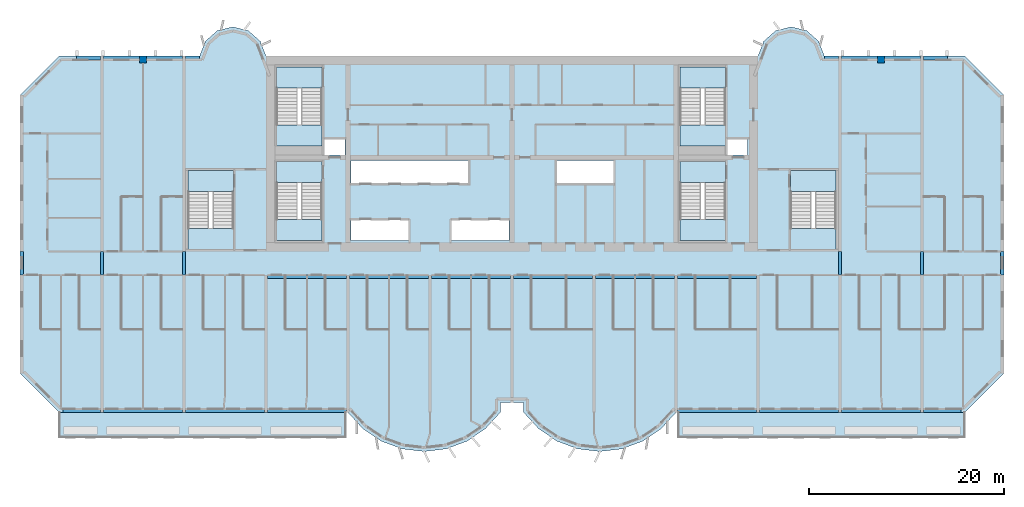
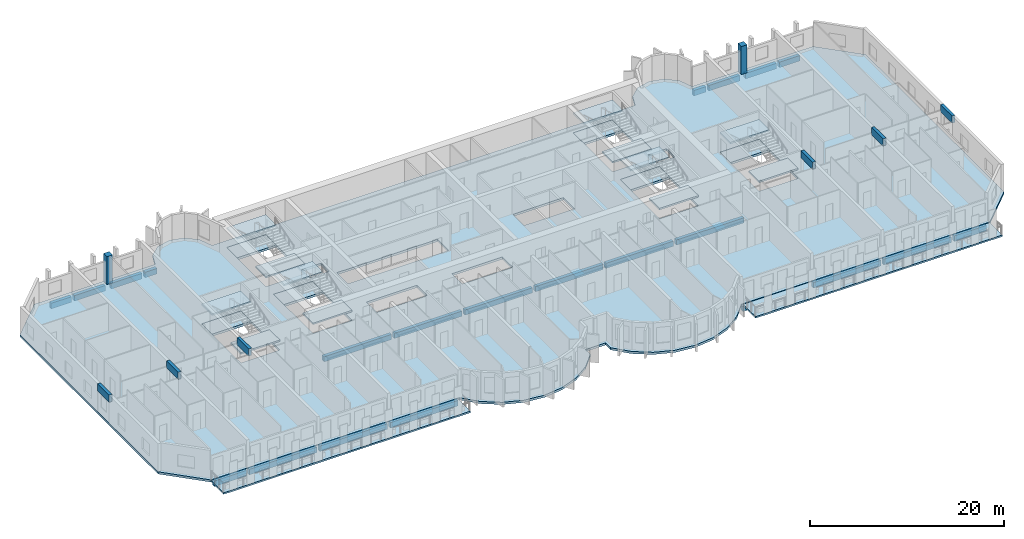
# One storey, part 1 of 15: 28 beams, 21 slabs, 2 columns, 6 elements without a shape of their own.
"""IFC4 building model written with IfcOpenShell, lengths in metres."""

from ifc_helpers import new_model, si_unit, direction, frame, origin, origin_2d, place, context, subcontext, project, spatial, polyline, rectangle, outline, extrude, source, transform, mapped, material, layer, layer_set, material_profile, profile_set, type_object, element, aggregate, save


model = new_model("IFC4")

# Units and contexts
model_context = context("Model", 3, precision=1e-05, world=origin(), true_north=direction((0.0, 1.0)))
body_context = subcontext(model_context, "Body", "Model", "MODEL_VIEW")
ifc_project = project(units=[si_unit("LENGTHUNIT", "METRE"), si_unit("AREAUNIT", "SQUARE_METRE"), si_unit("VOLUMEUNIT", "CUBIC_METRE"), si_unit("PLANEANGLEUNIT", "RADIAN"), si_unit("MASSUNIT", "GRAM", prefix="KILO")], contexts=[model_context])

# Site, building, storey
site_placement = place(None, origin())
site = spatial("IfcSite", under=ifc_project, at=site_placement, CompositionType="ELEMENT")
building_placement = place(site_placement, origin())
building = spatial("IfcBuilding", under=site, at=building_placement, Name="Vanashikhar Sky Hotel", CompositionType="ELEMENT")
storey_placement = place(building_placement, frame((0.0, 0.0, 110.39990234375)))
storey = spatial("IfcBuildingStorey", under=building, at=storey_placement, Name="L26", CompositionType="ELEMENT", Elevation=110.39990234375)

# Columns
ifc_material_1 = material(Name="Concrete M60", Category="concrete")
ifc_material_profile_1 = material_profile(ifc_material_1, rectangle(XDim=0.699951171875, YDim=0.699951171875, at=origin_2d()))
ifc_profile_set_1 = profile_set([ifc_material_profile_1], Name="RC 700x700 column Concrete M60")
column_type = type_object("IfcColumnType", Name="RC 700x700 column Concrete M60", PredefinedType="COLUMN", material=ifc_profile_set_1)
shared_shape_1 = source(origin(), body_context, "Body", "SweptSolid", [
    extrude(rectangle(XDim=0.699951171875, YDim=0.699951171875, at=origin_2d()), origin(), (0.0, 0.0, 1.0), 3.52001953125),
])
for number, where, z_axis, x_axis, name in (
    (1, (12.60009765625, 41.64990234375, 0.0), (0.0, 0.0, 1.0), (1.0, 0.0, 0.0), "CL-L26-CR02"),
    (2, (88.199951171875, 41.64990234375, 0.0), (0.0, 0.0, 1.0), (1.0, 0.0, 0.0), "CL-L26-CR11"),
):
    element("IfcColumn", number, at=place(storey_placement, frame(where, z_axis=z_axis, x_axis=x_axis)), inside=storey, type_object=column_type, Name=name, PredefinedType="COLUMN", context=body_context, shape_type="MappedRepresentation", body=[
        mapped(shared_shape_1, transform((0.0, 0.0, 0.0), scale=1.0)),
    ])

# Beams
ifc_material_2 = material(Name="Concrete M50", Category="concrete")
ifc_material_profile_2 = material_profile(ifc_material_2, rectangle(XDim=0.35009765625, YDim=0.89990234375, at=origin_2d()))
ifc_profile_set_2 = profile_set([ifc_material_profile_2], Name="RC 350x900 beam Concrete M50")
beam_type_1 = type_object("IfcBeamType", Name="RC 350x900 beam Concrete M50", PredefinedType="LINTEL", material=ifc_profile_set_2)
shared_shape_2 = source(origin(), body_context, "Body", "SweptSolid", [
    extrude(rectangle(XDim=0.35009765625, YDim=0.89990234375, at=origin_2d()), origin(), (0.0, 0.0, 1.0), 2.39990234375),
])
for number, where, z_axis, x_axis, name in (
    (3, (0.175048828125, 19.60009765625, 3.070068359375), (0.0, 1.0, 0.0), (-1.0, 0.0, 0.0), "LB-L26-XW01"),
    (4, (8.39990234375, 19.60009765625, 3.070068359375), (0.0, 1.0, 0.0), (-1.0, 0.0, 0.0), "LB-L26-XW02"),
    (5, (16.800048828125, 19.60009765625, 3.070068359375), (0.0, 1.0, 0.0), (-1.0, 0.0, 0.0), "LB-L26-XW03"),
    (6, (84.0, 19.60009765625, 3.070068359375), (0.0, 1.0, 0.0), (-1.0, 0.0, 0.0), "LB-L26-XW11"),
    (7, (92.39990234375, 19.60009765625, 3.070068359375), (0.0, 1.0, 0.0), (-1.0, 0.0, 0.0), "LB-L26-XW12"),
    (8, (100.625, 19.60009765625, 3.070068359375), (0.0, 1.0, 0.0), (-1.0, 0.0, 0.0), "LB-L26-XW13"),
):
    element("IfcBeam", number, at=place(storey_placement, frame(where, z_axis=z_axis, x_axis=x_axis)), inside=storey, type_object=beam_type_1, Name=name, PredefinedType="LINTEL", context=body_context, shape_type="MappedRepresentation", body=[
        mapped(shared_shape_2, transform((0.0, 0.0, 0.0), scale=1.0)),
    ])
ifc_material_profile_3 = material_profile(ifc_material_2, rectangle(XDim=0.39990234375, YDim=0.699951171875, at=origin_2d()))
ifc_profile_set_3 = profile_set([ifc_material_profile_3], Name="RC 400x700 beam Concrete M50")
beam_type_2 = type_object("IfcBeamType", Name="RC 400x700 beam Concrete M50", PredefinedType="SPANDREL", material=ifc_profile_set_3)
shared_shape_3 = source(origin(), body_context, "Body", "SweptSolid", [
    extrude(rectangle(XDim=0.39990234375, YDim=0.699951171875, at=origin_2d()), origin(), (0.0, 0.0, 1.0), 8.050048828125),
])
for number, where, z_axis, x_axis, name in (
    (9, (8.574951171875, 5.699951171875, -0.6298828125), (1.0, 0.0, 0.0), (0.0, 1.0, 0.0), "EB-L26-F01"),
    (10, (25.375, 5.699951171875, -0.6298828125), (1.0, 0.0, 0.0), (0.0, 1.0, 0.0), "EB-L26-F03"),
    (11, (67.375, 5.699951171875, -0.6298828125), (1.0, 0.0, 0.0), (0.0, 1.0, 0.0), "EB-L26-F05"),
    (12, (75.77490234375, 5.699951171875, -0.6298828125), (1.0, 0.0, 0.0), (0.0, 1.0, 0.0), "EB-L26-F06"),
    (13, (84.175048828125, 5.699951171875, -0.6298828125), (1.0, 0.0, 0.0), (0.0, 1.0, 0.0), "EB-L26-F07"),
):
    element("IfcBeam", number, at=place(storey_placement, frame(where, z_axis=z_axis, x_axis=x_axis)), inside=storey, type_object=beam_type_2, Name=name, PredefinedType="SPANDREL", context=body_context, shape_type="MappedRepresentation", body=[
        mapped(shared_shape_3, transform((0.0, 0.0, 0.0), scale=1.0)),
    ])
shared_shape_4 = source(origin(), body_context, "Body", "SweptSolid", [
    extrude(rectangle(XDim=0.39990234375, YDim=0.699951171875, at=origin_2d()), origin(), (0.0, 0.0, 1.0), 8.0498046875),
])
beam_1_placement = place(storey_placement, frame((16.97509765625, 5.699951171875, -0.6298828125), z_axis=(1.0, 0.0, 0.0), x_axis=(0.0, 1.0, 0.0)))
element("IfcBeam", 14, at=beam_1_placement, inside=storey, type_object=beam_type_2, Name="EB-L26-F02", PredefinedType="SPANDREL", context=body_context, shape_type="MappedRepresentation", body=[
    mapped(shared_shape_4, transform((0.0, 0.0, 0.0), scale=1.0)),
])
ifc_material_profile_4 = material_profile(ifc_material_2, rectangle(XDim=0.39990234375, YDim=0.699951171875, at=origin_2d()))
ifc_profile_set_4 = profile_set([ifc_material_profile_4], Name="RC 400x700 cantilever beam Concrete M50")
beam_type_3 = type_object("IfcBeamType", Name="RC 400x700 cantilever beam Concrete M50", PredefinedType="SPANDREL", material=ifc_profile_set_4)
shared_shape_5 = source(origin(), body_context, "Body", "SweptSolid", [
    extrude(rectangle(XDim=0.39990234375, YDim=0.699951171875, at=origin_2d()), origin(), (0.0, 0.0, 1.0), 3.8251953125),
])
beam_2_placement = place(storey_placement, frame((4.39990234375, 5.699951171875, -0.6298828125), z_axis=(1.0, 0.0, 0.0), x_axis=(0.0, 1.0, 0.0)))
element("IfcBeam", 15, at=beam_2_placement, inside=storey, type_object=beam_type_3, Name="EB-L26-F04", PredefinedType="SPANDREL", context=body_context, shape_type="MappedRepresentation", body=[
    mapped(shared_shape_5, transform((0.0, 0.0, 0.0), scale=1.0)),
])
shared_shape_6 = source(origin(), body_context, "Body", "SweptSolid", [
    extrude(rectangle(XDim=0.39990234375, YDim=0.699951171875, at=origin_2d()), origin(), (0.0, 0.0, 1.0), 3.824951171875),
])
beam_3_placement = place(storey_placement, frame((92.574951171875, 5.699951171875, -0.6298828125), z_axis=(1.0, 0.0, 0.0), x_axis=(0.0, 1.0, 0.0)))
element("IfcBeam", 16, at=beam_3_placement, inside=storey, type_object=beam_type_3, Name="EB-L26-F08", PredefinedType="SPANDREL", context=body_context, shape_type="MappedRepresentation", body=[
    mapped(shared_shape_6, transform((0.0, 0.0, 0.0), scale=1.0)),
])
shared_shape_7 = source(origin(), body_context, "Body", "SweptSolid", [
    extrude(rectangle(XDim=0.39990234375, YDim=0.699951171875, at=origin_2d()), origin(), (0.0, 0.0, 1.0), 3.675048828125),
])
for number, where, z_axis, x_axis, name in (
    (17, (8.574951171875, 41.800048828125, -0.6298828125), (1.0, 0.0, 0.0), (0.0, 1.0, 0.0), "EB-L26-R01"),
    (18, (12.949951171875, 41.800048828125, -0.6298828125), (1.0, 0.0, 0.0), (0.0, 1.0, 0.0), "EB-L26-R02"),
    (19, (84.175048828125, 41.800048828125, -0.6298828125), (1.0, 0.0, 0.0), (0.0, 1.0, 0.0), "EB-L26-R05"),
    (20, (88.550048828125, 41.800048828125, -0.6298828125), (1.0, 0.0, 0.0), (0.0, 1.0, 0.0), "EB-L26-R06"),
):
    element("IfcBeam", number, at=place(storey_placement, frame(where, z_axis=z_axis, x_axis=x_axis)), inside=storey, type_object=beam_type_2, Name=name, PredefinedType="SPANDREL", context=body_context, shape_type="MappedRepresentation", body=[
        mapped(shared_shape_7, transform((0.0, 0.0, 0.0), scale=1.0)),
    ])
shared_shape_8 = source(origin(), body_context, "Body", "SweptSolid", [
    extrude(rectangle(XDim=0.39990234375, YDim=0.699951171875, at=origin_2d()), origin(), (0.0, 0.0, 1.0), 2.43017578125),
])
beam_4_placement = place(storey_placement, frame((5.794921875, 41.800048828125, -0.6298828125), z_axis=(1.0, 0.0, 0.0), x_axis=(0.0, 1.0, 0.0)))
element("IfcBeam", 21, at=beam_4_placement, inside=storey, type_object=beam_type_3, Name="EB-L26-R03", PredefinedType="SPANDREL", context=body_context, shape_type="MappedRepresentation", body=[
    mapped(shared_shape_8, transform((0.0, 0.0, 0.0), scale=1.0)),
])
shared_shape_9 = source(origin(), body_context, "Body", "SweptSolid", [
    extrude(rectangle(XDim=0.39990234375, YDim=0.699951171875, at=origin_2d()), origin(), (0.0, 0.0, 1.0), 1.4248046875),
])
beam_5_placement = place(storey_placement, frame((16.97509765625, 41.800048828125, -0.6298828125), z_axis=(1.0, 0.0, 0.0), x_axis=(0.0, 1.0, 0.0)))
element("IfcBeam", 22, at=beam_5_placement, inside=storey, type_object=beam_type_3, Name="EB-L26-R04", PredefinedType="SPANDREL", context=body_context, shape_type="MappedRepresentation", body=[
    mapped(shared_shape_9, transform((0.0, 0.0, 0.0), scale=1.0)),
])
shared_shape_10 = source(origin(), body_context, "Body", "SweptSolid", [
    extrude(rectangle(XDim=0.39990234375, YDim=0.699951171875, at=origin_2d()), origin(), (0.0, 0.0, 1.0), 1.425048828125),
])
beam_6_placement = place(storey_placement, frame((82.39990234375, 41.800048828125, -0.6298828125), z_axis=(1.0, 0.0, 0.0), x_axis=(0.0, 1.0, 0.0)))
element("IfcBeam", 23, at=beam_6_placement, inside=storey, type_object=beam_type_3, Name="EB-L26-R07", PredefinedType="SPANDREL", context=body_context, shape_type="MappedRepresentation", body=[
    mapped(shared_shape_10, transform((0.0, 0.0, 0.0), scale=1.0)),
])
shared_shape_11 = source(origin(), body_context, "Body", "SweptSolid", [
    extrude(rectangle(XDim=0.39990234375, YDim=0.699951171875, at=origin_2d()), origin(), (0.0, 0.0, 1.0), 2.429931640625),
])
beam_7_placement = place(storey_placement, frame((92.574951171875, 41.800048828125, -0.6298828125), z_axis=(1.0, 0.0, 0.0), x_axis=(0.0, 1.0, 0.0)))
element("IfcBeam", 24, at=beam_7_placement, inside=storey, type_object=beam_type_3, Name="EB-L26-R08", PredefinedType="SPANDREL", context=body_context, shape_type="MappedRepresentation", body=[
    mapped(shared_shape_11, transform((0.0, 0.0, 0.0), scale=1.0)),
])
ifc_material_profile_5 = material_profile(ifc_material_2, rectangle(XDim=0.39990234375, YDim=0.64990234375, at=origin_2d()))
ifc_profile_set_5 = profile_set([ifc_material_profile_5], Name="RC 400x650 beam Concrete M50")
beam_type_4 = type_object("IfcBeamType", Name="RC 400x650 beam Concrete M50", PredefinedType="BEAM", material=ifc_profile_set_5)
shared_shape_12 = source(origin(), body_context, "Body", "SweptSolid", [
    extrude(rectangle(XDim=0.39990234375, YDim=0.64990234375, at=origin_2d()), origin(), (0.0, 0.0, 1.0), 8.050048828125),
])
for number, where, z_axis, x_axis, name in (
    (25, (25.375, 19.39990234375, -0.60498046875), (1.0, 0.0, 0.0), (0.0, 1.0, 0.0), "CB-L26-01"),
    (26, (33.77490234375, 19.39990234375, -0.60498046875), (1.0, 0.0, 0.0), (0.0, 1.0, 0.0), "CB-L26-02"),
    (27, (42.175048828125, 19.39990234375, -0.60498046875), (1.0, 0.0, 0.0), (0.0, 1.0, 0.0), "CB-L26-03"),
    (28, (50.574951171875, 19.39990234375, -0.60498046875), (1.0, 0.0, 0.0), (0.0, 1.0, 0.0), "CB-L26-04"),
    (29, (67.375, 19.39990234375, -0.60498046875), (1.0, 0.0, 0.0), (0.0, 1.0, 0.0), "CB-L26-06"),
):
    element("IfcBeam", number, at=place(storey_placement, frame(where, z_axis=z_axis, x_axis=x_axis)), inside=storey, type_object=beam_type_4, Name=name, PredefinedType="BEAM", context=body_context, shape_type="MappedRepresentation", body=[
        mapped(shared_shape_12, transform((0.0, 0.0, 0.0), scale=1.0)),
    ])
shared_shape_13 = source(origin(), body_context, "Body", "SweptSolid", [
    extrude(rectangle(XDim=0.39990234375, YDim=0.64990234375, at=origin_2d()), origin(), (0.0, 0.0, 1.0), 8.0498046875),
])
beam_8_placement = place(storey_placement, frame((58.97509765625, 19.39990234375, -0.60498046875), z_axis=(1.0, 0.0, 0.0), x_axis=(0.0, 1.0, 0.0)))
element("IfcBeam", 30, at=beam_8_placement, inside=storey, type_object=beam_type_4, Name="CB-L26-05", PredefinedType="BEAM", context=body_context, shape_type="MappedRepresentation", body=[
    mapped(shared_shape_13, transform((0.0, 0.0, 0.0), scale=1.0)),
])

# Slabs
ifc_material_3 = material(Name="Concrete M40", Category="concrete")
ifc_layer_1 = layer(ifc_material_3, 0.280029296875)
ifc_layer_set_1 = layer_set([ifc_layer_1], Name="Floor slab 280 mm")
slab_type_1 = type_object("IfcSlabType", Name="Floor slab 280 mm", PredefinedType="FLOOR", material=ifc_layer_set_1)
shared_shape_14 = source(origin(), body_context, "Body", "SweptSolid", [
    extrude(outline(polyline([(49.199951171875, 5.5), (49.199951171875, 6.5), (51.60009765625, 6.5), (51.60009765625, 5.5), (53.133056640625, 3.825927734375), (55.01708984375, 2.55810546875), (57.14599609375, 1.76806640625), (59.39990234375, 1.5), (61.654052734375, 1.76806640625), (63.782958984375, 2.55810546875), (65.6669921875, 3.825927734375), (67.199951171875, 5.5), (96.800048828125, 5.5), (100.800048828125, 9.5), (100.800048828125, 38.0), (96.800048828125, 42.0), (82.39990234375, 42.0), (81.81494140625, 43.527099609375), (80.587890625, 44.610107421875), (79.0, 45.0), (77.412109375, 44.610107421875), (76.18505859375, 43.527099609375), (75.60009765625, 42.0), (25.199951171875, 42.0), (24.614990234375, 43.527099609375), (23.387939453125, 44.610107421875), (21.800048828125, 45.0), (20.2119140625, 44.610107421875), (18.985107421875, 43.527099609375), (18.39990234375, 42.0), (4.0, 42.0), (0.0, 38.0), (0.0, 9.5), (4.0, 5.5), (33.60009765625, 5.5), (35.133056640625, 3.825927734375), (37.01708984375, 2.55810546875), (39.14599609375, 1.76806640625), (41.39990234375, 1.5), (43.654052734375, 1.76806640625), (45.782958984375, 2.55810546875), (47.6669921875, 3.825927734375), (49.199951171875, 5.5)]), holes=[polyline([(33.300048828125, 33.60009765625), (31.050048828125, 33.60009765625), (31.050048828125, 31.89990234375), (33.300048828125, 31.89990234375), (33.300048828125, 33.60009765625)]), polyline([(33.89990234375, 25.199951171875), (33.89990234375, 23.10009765625), (39.89990234375, 23.10009765625), (39.89990234375, 25.199951171875), (33.89990234375, 25.199951171875)]), polyline([(33.89990234375, 31.300048828125), (33.89990234375, 29.0), (45.89990234375, 29.0), (45.89990234375, 31.300048828125), (33.89990234375, 31.300048828125)]), polyline([(44.10009765625, 25.199951171875), (44.10009765625, 23.10009765625), (50.10009765625, 23.10009765625), (50.10009765625, 25.199951171875), (44.10009765625, 25.199951171875)]), polyline([(54.89990234375, 31.300048828125), (54.89990234375, 29.0), (60.89990234375, 29.0), (60.89990234375, 31.300048828125), (54.89990234375, 31.300048828125)]), polyline([(74.5, 33.60009765625), (72.35009765625, 33.60009765625), (72.35009765625, 31.89990234375), (74.5, 31.89990234375), (74.5, 33.60009765625)]), polyline([(30.949951171875, 23.10009765625), (30.949951171875, 31.199951171875), (26.300048828125, 31.199951171875), (26.300048828125, 23.10009765625), (30.949951171875, 23.10009765625)]), polyline([(72.25, 23.10009765625), (72.25, 31.199951171875), (67.60009765625, 31.199951171875), (67.60009765625, 23.10009765625), (72.25, 23.10009765625)]), polyline([(30.949951171875, 32.800048828125), (30.949951171875, 40.89990234375), (26.300048828125, 40.89990234375), (26.300048828125, 32.800048828125), (30.949951171875, 32.800048828125)]), polyline([(72.25, 32.800048828125), (72.25, 40.89990234375), (67.60009765625, 40.89990234375), (67.60009765625, 32.800048828125), (72.25, 32.800048828125)]), polyline([(83.60009765625, 22.199951171875), (83.60009765625, 30.300048828125), (78.949951171875, 30.300048828125), (78.949951171875, 22.199951171875), (83.60009765625, 22.199951171875)]), polyline([(21.85009765625, 22.199951171875), (21.85009765625, 30.300048828125), (17.199951171875, 30.300048828125), (17.199951171875, 22.199951171875), (21.85009765625, 22.199951171875)])]), origin(), (0.0, 0.0, 1.0), 0.27978515625),
])
slab_1_placement = place(storey_placement, frame((0.0, 0.0, -0.27978515625)))
element("IfcSlab", 31, at=slab_1_placement, inside=storey, type_object=slab_type_1, Name="Floor slab L26", PredefinedType="FLOOR", context=body_context, shape_type="MappedRepresentation", body=[
    mapped(shared_shape_14, transform((0.0, 0.0, 0.0), scale=1.0)),
])
ifc_layer_2 = layer(ifc_material_3, 0.199951171875)
ifc_layer_set_2 = layer_set([ifc_layer_2], Name="Balcony slab 200 mm")
slab_type_2 = type_object("IfcSlabType", Name="Balcony slab 200 mm", PredefinedType="USERDEFINED", material=ifc_layer_set_2)
shared_shape_15 = source(origin(), body_context, "Body", "SweptSolid", [
    extrude(outline(polyline([(4.0, 2.89990234375), (33.39990234375, 2.89990234375), (33.39990234375, 5.5), (4.0, 5.5), (4.0, 2.89990234375)])), origin(), (0.0, 0.0, 1.0), 0.2001953125),
])
slab_2_placement = place(storey_placement, frame((0.0, 0.0, -0.25)))
element("IfcSlab", 32, at=slab_2_placement, inside=storey, type_object=slab_type_2, Name="Balcony slab L26 1", ObjectType="BALCONY", PredefinedType="USERDEFINED", context=body_context, shape_type="MappedRepresentation", body=[
    mapped(shared_shape_15, transform((0.0, 0.0, 0.0), scale=1.0)),
])
shared_shape_16 = source(origin(), body_context, "Body", "SweptSolid", [
    extrude(outline(polyline([(67.39990234375, 2.89990234375), (96.800048828125, 2.89990234375), (96.800048828125, 5.5), (67.39990234375, 5.5), (67.39990234375, 2.89990234375)])), origin(), (0.0, 0.0, 1.0), 0.2001953125),
])
slab_3_placement = place(storey_placement, frame((0.0, 0.0, -0.25)))
element("IfcSlab", 33, at=slab_3_placement, inside=storey, type_object=slab_type_2, Name="Balcony slab L26 2", ObjectType="BALCONY", PredefinedType="USERDEFINED", context=body_context, shape_type="MappedRepresentation", body=[
    mapped(shared_shape_16, transform((0.0, 0.0, 0.0), scale=1.0)),
])

# Stair, slabs
stair_type = type_object("IfcStairType", Name="Exit stair 2150", PredefinedType="DOUBLE_RETURN_STAIR", material=ifc_material_3)
stair_1_placement = place(storey_placement, origin())
stair_1 = element("IfcStair", 34, at=stair_1_placement, inside=storey, type_object=stair_type, Name="L26 Exit stair 1", PredefinedType="DOUBLE_RETURN_STAIR")
ifc_layer_3 = layer(ifc_material_3, 0.199951171875)
ifc_layer_set_3 = layer_set([ifc_layer_3], Name="Stair landing 200")
slab_type_3 = type_object("IfcSlabType", Name="Stair landing 200", PredefinedType="LANDING", material=ifc_layer_set_3)
shared_shape_17 = source(origin(), body_context, "Body", "SweptSolid", [
    extrude(outline(polyline([(30.949951171875, 29.050048828125), (30.949951171875, 31.199951171875), (26.300048828125, 31.199951171875), (26.300048828125, 29.050048828125), (30.949951171875, 29.050048828125)])), origin(), (0.0, 0.0, 1.0), 0.199951171875),
])
slab_4_placement = place(storey_placement, frame((0.0, 0.0, 2.33349609375)))
slab_4 = element("IfcSlab", 35, at=slab_4_placement, type_object=slab_type_3, Name="ST-C1 landing 2", PredefinedType="LANDING", context=body_context, shape_type="MappedRepresentation", body=[
    mapped(shared_shape_17, transform((0.0, 0.0, 0.0), scale=1.0)),
])
shared_shape_18 = source(origin(), body_context, "Body", "SweptSolid", [
    extrude(outline(polyline([(30.949951171875, 23.10009765625), (30.949951171875, 25.25), (26.300048828125, 25.25), (26.300048828125, 23.10009765625), (30.949951171875, 23.10009765625)])), origin(), (0.0, 0.0, 1.0), 0.2001953125),
])
slab_5_placement = place(storey_placement, frame((0.0, 0.0, 1.066650390625)))
slab_5 = element("IfcSlab", 36, at=slab_5_placement, type_object=slab_type_3, Name="ST-C1 landing 1", PredefinedType="LANDING", context=body_context, shape_type="MappedRepresentation", body=[
    mapped(shared_shape_18, transform((0.0, 0.0, 0.0), scale=1.0)),
])
aggregate(stair_1, [slab_5, slab_4])

# Slab
ifc_layer_4 = layer(ifc_material_3, 0.280029296875)
ifc_layer_set_4 = layer_set([ifc_layer_4], Name="Stair floor landing 280")
slab_type_4 = type_object("IfcSlabType", Name="Stair floor landing 280", PredefinedType="LANDING", material=ifc_layer_set_4)
shared_shape_19 = source(origin(), body_context, "Body", "SweptSolid", [
    extrude(outline(polyline([(30.949951171875, 29.050048828125), (30.949951171875, 31.199951171875), (26.300048828125, 31.199951171875), (26.300048828125, 29.050048828125), (30.949951171875, 29.050048828125)])), origin(), (0.0, 0.0, 1.0), 0.27978515625),
])
slab_6_placement = place(storey_placement, frame((0.0, 0.0, -0.27978515625)))
element("IfcSlab", 37, at=slab_6_placement, inside=storey, type_object=slab_type_4, Name="Exit stair 1 floor landing", PredefinedType="LANDING", context=body_context, shape_type="MappedRepresentation", body=[
    mapped(shared_shape_19, transform((0.0, 0.0, 0.0), scale=1.0)),
])

# Stair, slabs
stair_2_placement = place(storey_placement, origin())
stair_2 = element("IfcStair", 38, at=stair_2_placement, inside=storey, type_object=stair_type, Name="L26 Exit stair 2", PredefinedType="DOUBLE_RETURN_STAIR")
shared_shape_20 = source(origin(), body_context, "Body", "SweptSolid", [
    extrude(outline(polyline([(72.25, 29.050048828125), (72.25, 31.199951171875), (67.60009765625, 31.199951171875), (67.60009765625, 29.050048828125), (72.25, 29.050048828125)])), origin(), (0.0, 0.0, 1.0), 0.199951171875),
])
slab_7_placement = place(storey_placement, frame((0.0, 0.0, 2.33349609375)))
slab_7 = element("IfcSlab", 39, at=slab_7_placement, type_object=slab_type_3, Name="ST-C2 landing 2", PredefinedType="LANDING", context=body_context, shape_type="MappedRepresentation", body=[
    mapped(shared_shape_20, transform((0.0, 0.0, 0.0), scale=1.0)),
])
shared_shape_21 = source(origin(), body_context, "Body", "SweptSolid", [
    extrude(outline(polyline([(72.25, 23.10009765625), (72.25, 25.25), (67.60009765625, 25.25), (67.60009765625, 23.10009765625), (72.25, 23.10009765625)])), origin(), (0.0, 0.0, 1.0), 0.2001953125),
])
slab_8_placement = place(storey_placement, frame((0.0, 0.0, 1.066650390625)))
slab_8 = element("IfcSlab", 40, at=slab_8_placement, type_object=slab_type_3, Name="ST-C2 landing 1", PredefinedType="LANDING", context=body_context, shape_type="MappedRepresentation", body=[
    mapped(shared_shape_21, transform((0.0, 0.0, 0.0), scale=1.0)),
])
aggregate(stair_2, [slab_8, slab_7])

# Slab
shared_shape_22 = source(origin(), body_context, "Body", "SweptSolid", [
    extrude(outline(polyline([(72.25, 29.050048828125), (72.25, 31.199951171875), (67.60009765625, 31.199951171875), (67.60009765625, 29.050048828125), (72.25, 29.050048828125)])), origin(), (0.0, 0.0, 1.0), 0.27978515625),
])
slab_9_placement = place(storey_placement, frame((0.0, 0.0, -0.27978515625)))
element("IfcSlab", 41, at=slab_9_placement, inside=storey, type_object=slab_type_4, Name="Exit stair 2 floor landing", PredefinedType="LANDING", context=body_context, shape_type="MappedRepresentation", body=[
    mapped(shared_shape_22, transform((0.0, 0.0, 0.0), scale=1.0)),
])

# Stair, slabs
stair_3_placement = place(storey_placement, origin())
stair_3 = element("IfcStair", 42, at=stair_3_placement, inside=storey, type_object=stair_type, Name="L26 Exit stair 3", PredefinedType="DOUBLE_RETURN_STAIR")
shared_shape_23 = source(origin(), body_context, "Body", "SweptSolid", [
    extrude(outline(polyline([(21.85009765625, 28.14990234375), (21.85009765625, 30.300048828125), (17.199951171875, 30.300048828125), (17.199951171875, 28.14990234375), (21.85009765625, 28.14990234375)])), origin(), (0.0, 0.0, 1.0), 0.199951171875),
])
slab_10_placement = place(storey_placement, frame((0.0, 0.0, 2.33349609375)))
slab_10 = element("IfcSlab", 43, at=slab_10_placement, type_object=slab_type_3, Name="ST-W landing 2", PredefinedType="LANDING", context=body_context, shape_type="MappedRepresentation", body=[
    mapped(shared_shape_23, transform((0.0, 0.0, 0.0), scale=1.0)),
])
shared_shape_24 = source(origin(), body_context, "Body", "SweptSolid", [
    extrude(outline(polyline([(21.85009765625, 22.199951171875), (21.85009765625, 24.35009765625), (17.199951171875, 24.35009765625), (17.199951171875, 22.199951171875), (21.85009765625, 22.199951171875)])), origin(), (0.0, 0.0, 1.0), 0.2001953125),
])
slab_11_placement = place(storey_placement, frame((0.0, 0.0, 1.066650390625)))
slab_11 = element("IfcSlab", 44, at=slab_11_placement, type_object=slab_type_3, Name="ST-W landing 1", PredefinedType="LANDING", context=body_context, shape_type="MappedRepresentation", body=[
    mapped(shared_shape_24, transform((0.0, 0.0, 0.0), scale=1.0)),
])
aggregate(stair_3, [slab_11, slab_10])

# Slab
shared_shape_25 = source(origin(), body_context, "Body", "SweptSolid", [
    extrude(outline(polyline([(21.85009765625, 28.14990234375), (21.85009765625, 30.300048828125), (17.199951171875, 30.300048828125), (17.199951171875, 28.14990234375), (21.85009765625, 28.14990234375)])), origin(), (0.0, 0.0, 1.0), 0.27978515625),
])
slab_12_placement = place(storey_placement, frame((0.0, 0.0, -0.27978515625)))
element("IfcSlab", 45, at=slab_12_placement, inside=storey, type_object=slab_type_4, Name="Exit stair 3 floor landing", PredefinedType="LANDING", context=body_context, shape_type="MappedRepresentation", body=[
    mapped(shared_shape_25, transform((0.0, 0.0, 0.0), scale=1.0)),
])

# Stair, slabs
stair_4_placement = place(storey_placement, origin())
stair_4 = element("IfcStair", 46, at=stair_4_placement, inside=storey, type_object=stair_type, Name="L26 Exit stair 4", PredefinedType="DOUBLE_RETURN_STAIR")
shared_shape_26 = source(origin(), body_context, "Body", "SweptSolid", [
    extrude(outline(polyline([(83.60009765625, 28.14990234375), (83.60009765625, 30.300048828125), (78.949951171875, 30.300048828125), (78.949951171875, 28.14990234375), (83.60009765625, 28.14990234375)])), origin(), (0.0, 0.0, 1.0), 0.199951171875),
])
slab_13_placement = place(storey_placement, frame((0.0, 0.0, 2.33349609375)))
slab_13 = element("IfcSlab", 47, at=slab_13_placement, type_object=slab_type_3, Name="ST-E landing 2", PredefinedType="LANDING", context=body_context, shape_type="MappedRepresentation", body=[
    mapped(shared_shape_26, transform((0.0, 0.0, 0.0), scale=1.0)),
])
shared_shape_27 = source(origin(), body_context, "Body", "SweptSolid", [
    extrude(outline(polyline([(83.60009765625, 22.199951171875), (83.60009765625, 24.35009765625), (78.949951171875, 24.35009765625), (78.949951171875, 22.199951171875), (83.60009765625, 22.199951171875)])), origin(), (0.0, 0.0, 1.0), 0.2001953125),
])
slab_14_placement = place(storey_placement, frame((0.0, 0.0, 1.066650390625)))
slab_14 = element("IfcSlab", 48, at=slab_14_placement, type_object=slab_type_3, Name="ST-E landing 1", PredefinedType="LANDING", context=body_context, shape_type="MappedRepresentation", body=[
    mapped(shared_shape_27, transform((0.0, 0.0, 0.0), scale=1.0)),
])
aggregate(stair_4, [slab_14, slab_13])

# Slab
shared_shape_28 = source(origin(), body_context, "Body", "SweptSolid", [
    extrude(outline(polyline([(83.60009765625, 28.14990234375), (83.60009765625, 30.300048828125), (78.949951171875, 30.300048828125), (78.949951171875, 28.14990234375), (83.60009765625, 28.14990234375)])), origin(), (0.0, 0.0, 1.0), 0.27978515625),
])
slab_15_placement = place(storey_placement, frame((0.0, 0.0, -0.27978515625)))
element("IfcSlab", 49, at=slab_15_placement, inside=storey, type_object=slab_type_4, Name="Exit stair 4 floor landing", PredefinedType="LANDING", context=body_context, shape_type="MappedRepresentation", body=[
    mapped(shared_shape_28, transform((0.0, 0.0, 0.0), scale=1.0)),
])

# Stair, slabs
stair_5_placement = place(storey_placement, origin())
stair_5 = element("IfcStair", 50, at=stair_5_placement, inside=storey, type_object=stair_type, Name="L26 Exit stair 5", PredefinedType="DOUBLE_RETURN_STAIR")
shared_shape_29 = source(origin(), body_context, "Body", "SweptSolid", [
    extrude(outline(polyline([(30.949951171875, 38.75), (30.949951171875, 40.89990234375), (26.300048828125, 40.89990234375), (26.300048828125, 38.75), (30.949951171875, 38.75)])), origin(), (0.0, 0.0, 1.0), 0.199951171875),
])
slab_16_placement = place(storey_placement, frame((0.0, 0.0, 2.33349609375)))
slab_16 = element("IfcSlab", 51, at=slab_16_placement, type_object=slab_type_3, Name="ST-C3 landing 2", PredefinedType="LANDING", context=body_context, shape_type="MappedRepresentation", body=[
    mapped(shared_shape_29, transform((0.0, 0.0, 0.0), scale=1.0)),
])
shared_shape_30 = source(origin(), body_context, "Body", "SweptSolid", [
    extrude(outline(polyline([(30.949951171875, 32.800048828125), (30.949951171875, 34.949951171875), (26.300048828125, 34.949951171875), (26.300048828125, 32.800048828125), (30.949951171875, 32.800048828125)])), origin(), (0.0, 0.0, 1.0), 0.2001953125),
])
slab_17_placement = place(storey_placement, frame((0.0, 0.0, 1.066650390625)))
slab_17 = element("IfcSlab", 52, at=slab_17_placement, type_object=slab_type_3, Name="ST-C3 landing 1", PredefinedType="LANDING", context=body_context, shape_type="MappedRepresentation", body=[
    mapped(shared_shape_30, transform((0.0, 0.0, 0.0), scale=1.0)),
])
aggregate(stair_5, [slab_17, slab_16])

# Slab
shared_shape_31 = source(origin(), body_context, "Body", "SweptSolid", [
    extrude(outline(polyline([(30.949951171875, 38.75), (30.949951171875, 40.89990234375), (26.300048828125, 40.89990234375), (26.300048828125, 38.75), (30.949951171875, 38.75)])), origin(), (0.0, 0.0, 1.0), 0.27978515625),
])
slab_18_placement = place(storey_placement, frame((0.0, 0.0, -0.27978515625)))
element("IfcSlab", 53, at=slab_18_placement, inside=storey, type_object=slab_type_4, Name="Exit stair 5 floor landing", PredefinedType="LANDING", context=body_context, shape_type="MappedRepresentation", body=[
    mapped(shared_shape_31, transform((0.0, 0.0, 0.0), scale=1.0)),
])

# Stair, slabs
stair_6_placement = place(storey_placement, origin())
stair_6 = element("IfcStair", 54, at=stair_6_placement, inside=storey, type_object=stair_type, Name="L26 Exit stair 6", PredefinedType="DOUBLE_RETURN_STAIR")
shared_shape_32 = source(origin(), body_context, "Body", "SweptSolid", [
    extrude(outline(polyline([(72.25, 38.75), (72.25, 40.89990234375), (67.60009765625, 40.89990234375), (67.60009765625, 38.75), (72.25, 38.75)])), origin(), (0.0, 0.0, 1.0), 0.199951171875),
])
slab_19_placement = place(storey_placement, frame((0.0, 0.0, 2.33349609375)))
slab_19 = element("IfcSlab", 55, at=slab_19_placement, type_object=slab_type_3, Name="ST-C4 landing 2", PredefinedType="LANDING", context=body_context, shape_type="MappedRepresentation", body=[
    mapped(shared_shape_32, transform((0.0, 0.0, 0.0), scale=1.0)),
])
shared_shape_33 = source(origin(), body_context, "Body", "SweptSolid", [
    extrude(outline(polyline([(72.25, 32.800048828125), (72.25, 34.949951171875), (67.60009765625, 34.949951171875), (67.60009765625, 32.800048828125), (72.25, 32.800048828125)])), origin(), (0.0, 0.0, 1.0), 0.2001953125),
])
slab_20_placement = place(storey_placement, frame((0.0, 0.0, 1.066650390625)))
slab_20 = element("IfcSlab", 56, at=slab_20_placement, type_object=slab_type_3, Name="ST-C4 landing 1", PredefinedType="LANDING", context=body_context, shape_type="MappedRepresentation", body=[
    mapped(shared_shape_33, transform((0.0, 0.0, 0.0), scale=1.0)),
])
aggregate(stair_6, [slab_20, slab_19])

# Slab
shared_shape_34 = source(origin(), body_context, "Body", "SweptSolid", [
    extrude(outline(polyline([(72.25, 38.75), (72.25, 40.89990234375), (67.60009765625, 40.89990234375), (67.60009765625, 38.75), (72.25, 38.75)])), origin(), (0.0, 0.0, 1.0), 0.27978515625),
])
slab_21_placement = place(storey_placement, frame((0.0, 0.0, -0.27978515625)))
element("IfcSlab", 57, at=slab_21_placement, inside=storey, type_object=slab_type_4, Name="Exit stair 6 floor landing", PredefinedType="LANDING", context=body_context, shape_type="MappedRepresentation", body=[
    mapped(shared_shape_34, transform((0.0, 0.0, 0.0), scale=1.0)),
])

save(model, "model.ifc")
